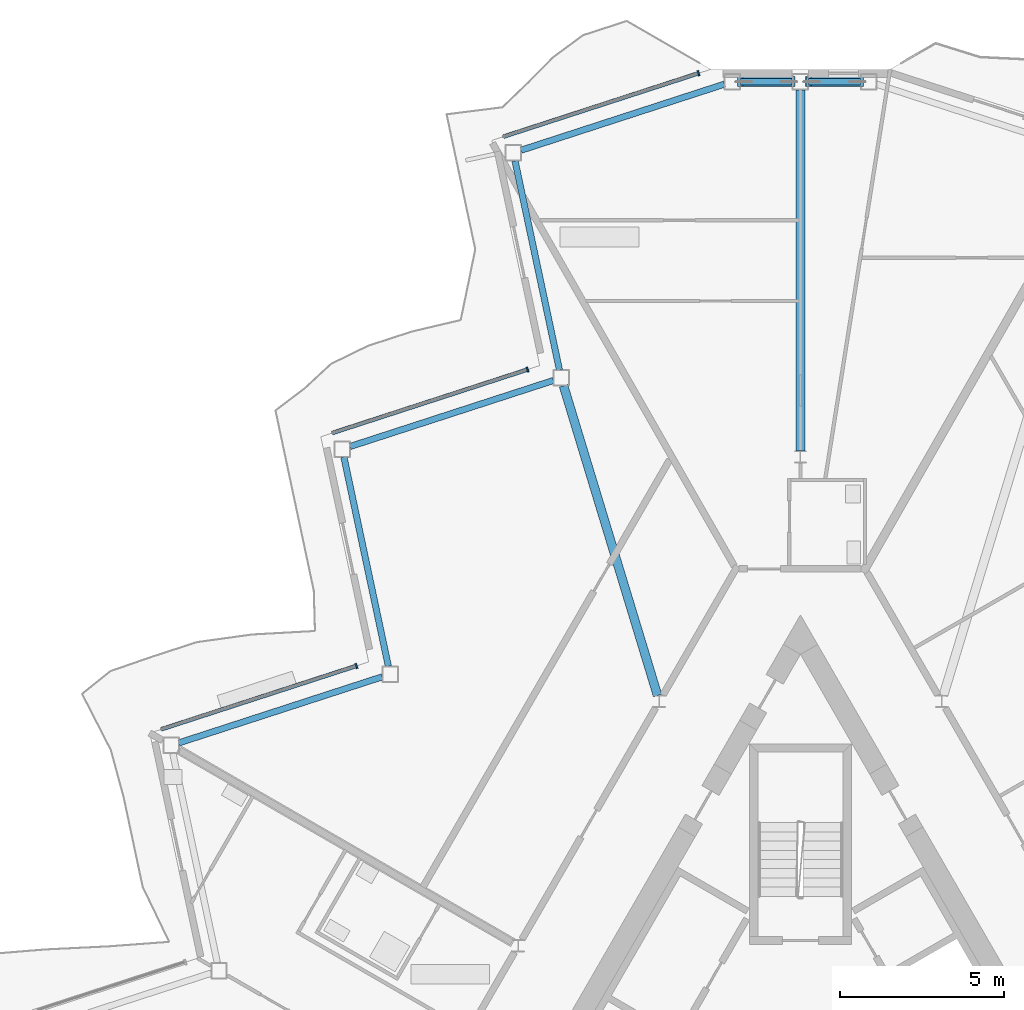
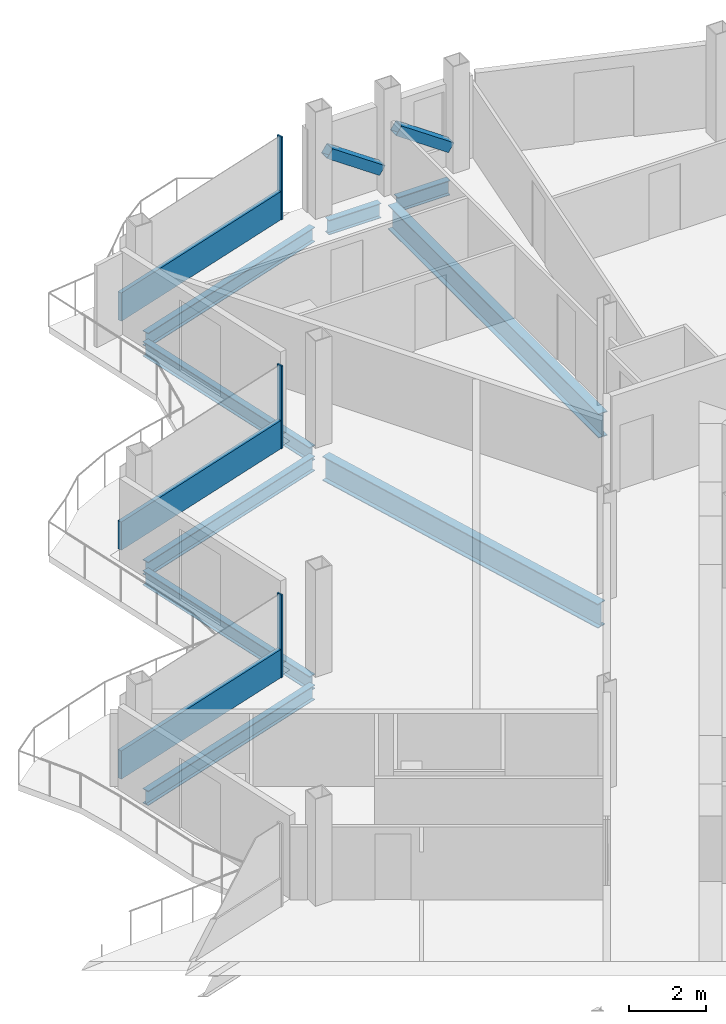
# One storey, part 9 of 26: 9 beams, 8 members, 3 elements without a shape of their own.
"""IFC4 building model written with IfcOpenShell, lengths in metres."""

from ifc_helpers import new_model, si_unit, direction, frame, origin, origin_2d, place, context, subcontext, project, spatial, rectangle, hollow_rectangle, i_section, extrude, material, layer, layer_set, material_profile, profile_set, type_object, element, aggregate, save


model = new_model("IFC4")

# Units and contexts
model_context = context("Model", 3, precision=1e-05, world=origin(), true_north=direction((0.0, 1.0)))
body_context = subcontext(model_context, "Body", "Model", "MODEL_VIEW")
ifc_project = project(units=[si_unit("LENGTHUNIT", "METRE"), si_unit("AREAUNIT", "SQUARE_METRE"), si_unit("VOLUMEUNIT", "CUBIC_METRE"), si_unit("PLANEANGLEUNIT", "RADIAN"), si_unit("MASSUNIT", "GRAM", prefix="KILO")], contexts=[model_context])

# Site, building, storey
site_placement = place(None, origin())
site = spatial("IfcSite", under=ifc_project, at=site_placement, CompositionType="ELEMENT")
building_placement = place(site_placement, origin())
building = spatial("IfcBuilding", under=site, at=building_placement, Name="Cormorant Prow Tower", CompositionType="ELEMENT")
storey_placement = place(building_placement, frame((0.0, 0.0, 367.800048828125)))
storey = spatial("IfcBuildingStorey", under=building, at=storey_placement, Name="L82", CompositionType="ELEMENT", Elevation=367.800048828125)

# Members
ifc_material_1 = material(Name="Structural steel ASTM A500 Gr C", Category="steel")
ifc_material_profile_1 = material_profile(ifc_material_1, hollow_rectangle(XDim=0.3046875, YDim=0.3046875, WallThickness=0.01171875, at=origin_2d()), Name="HSS12x12x1/2")
ifc_profile_set_1 = profile_set([ifc_material_profile_1], Name="Structural steel ASTM A500 Gr C")
member_type_1 = type_object("IfcMemberType", Name="Chamfer brace HSS12x12x1/2", PredefinedType="BRACE", material=ifc_profile_set_1)
for number, where, z_axis, x_axis, name in (
    (1, (1.8271484375, 31.219482421875, 0.7705078125), (-0.82250770082, 0.0, 0.568753973254), (0.0, -1.0, 0.0), "Chamfer brace BR3 at N00 L82"),
    (2, (-0.246826171875, 31.219482421875, 0.7705078125), (-0.82250770082, 0.0, 0.568753973254), (0.0, -1.0, 0.0), "Chamfer brace BR3 at N01 L82"),
):
    element("IfcMember", number, at=place(storey_placement, frame(where, z_axis=z_axis, x_axis=x_axis)), inside=storey, type_object=member_type_1, Name=name, PredefinedType="BRACE", context=body_context, shape_type="SweptSolid", body=[
        extrude(hollow_rectangle(XDim=0.3046875, YDim=0.3046875, WallThickness=0.01171875, at=origin_2d()), origin(), (0.0, 0.0, 1.0), 1.92138671875),
    ])

# Beams
ifc_material_2 = material(Name="Structural steel ASTM A992 Gr 50", Category="steel")
ifc_material_profile_2 = material_profile(ifc_material_2, i_section(OverallWidth=0.267822265625, OverallDepth=0.77001953125, WebThickness=0.015625, FlangeThickness=0.025390625, at=origin_2d()), Name="W30x132")
ifc_profile_set_2 = profile_set([ifc_material_profile_2], Name="Structural steel ASTM A992 Gr 50")
beam_type_1 = type_object("IfcBeamType", Name="Radial floor beam W30x132", PredefinedType="BEAM", material=ifc_profile_set_2)
beam_1_placement = place(storey_placement, frame((0.0, 19.998046875, -0.68505859375), z_axis=(0.0, 1.0, 0.0), x_axis=(-1.0, 0.0, 0.0)))
element("IfcBeam", 3, at=beam_1_placement, inside=storey, type_object=beam_type_1, Name="Radial floor beam FB3 1 L82", PredefinedType="BEAM", context=body_context, shape_type="SweptSolid", body=[
    extrude(i_section(OverallWidth=0.267822265625, OverallDepth=0.77001953125, WebThickness=0.015625, FlangeThickness=0.025390625, at=origin_2d()), origin(), (0.0, 0.0, 1.0), 10.971435546875),
])
beam_2_placement = place(storey_placement, frame((-4.343505859375, 12.560791015625, -0.68505859375), z_axis=(-0.290499864147, 0.956875033079, 0.0), x_axis=(-0.956875033079, -0.290499864147, 0.0)))
element("IfcBeam", 4, at=beam_2_placement, inside=storey, type_object=beam_type_1, Name="Radial floor beam FB3 2 L82", PredefinedType="BEAM", context=body_context, shape_type="SweptSolid", body=[
    extrude(i_section(OverallWidth=0.267822265625, OverallDepth=0.77001953125, WebThickness=0.015625, FlangeThickness=0.025390625, at=origin_2d()), origin(), (0.0, 0.0, 1.0), 9.837158203125),
])

# Curtain wall, member
ifc_material_3 = material(Name="Aluminium 6063-T6", Category="aluminium")
ifc_layer = layer(ifc_material_3, 0.159912109375)
ifc_layer_set = layer_set([ifc_layer], Name="Aluminium 6063-T6")
curtain_wall_type = type_object("IfcCurtainWallType", Name="Residential unitised curtain wall 160", PredefinedType="NOTDEFINED", material=ifc_layer_set)
curtain_wall_1_placement = place(storey_placement, origin())
curtain_wall_1 = element("IfcCurtainWall", 5, at=curtain_wall_1_placement, inside=storey, type_object=curtain_wall_type, Name="Residential curtain wall WNW00", PredefinedType="NOTDEFINED")
ifc_material_4 = material(Name="Aluminium 6063-T6", Category="aluminium")
ifc_material_profile_3 = material_profile(ifc_material_4, rectangle(XDim=0.159912109375, YDim=0.050048828125, at=origin_2d()), Name="Residential mullion 50x160")
ifc_profile_set_3 = profile_set([ifc_material_profile_3], Name="Aluminium 6063-T6")
member_type_2 = type_object("IfcMemberType", Name="Residential mullion 50x160", PredefinedType="MULLION", material=ifc_profile_set_3)
member_1_placement = place(storey_placement, frame((-3.0966796875, 31.474609375, 0.0), z_axis=(0.0, 0.0, 1.0), x_axis=(0.309016895096, -0.951056548553, 0.0)))
member_1 = element("IfcMember", 6, at=member_1_placement, type_object=member_type_2, Name="Residential mullion WNW00", PredefinedType="MULLION", context=body_context, shape_type="SweptSolid", body=[
    extrude(rectangle(XDim=0.159912109375, YDim=0.050048828125, at=origin_2d()), origin(), (0.0, 0.0, 1.0), 2.6337890625),
])

curtain_wall_2_placement = place(storey_placement, origin())
curtain_wall_2 = element("IfcCurtainWall", 7, at=curtain_wall_2_placement, inside=storey, type_object=curtain_wall_type, Name="Residential curtain wall WNW02", PredefinedType="NOTDEFINED")
member_2_placement = place(storey_placement, frame((-8.296630859375, 22.4677734375, 0.0), z_axis=(0.0, 0.0, 1.0), x_axis=(0.309017024369, -0.951056506549, 0.0)))
member_2 = element("IfcMember", 8, at=member_2_placement, type_object=member_type_2, Name="Residential mullion WNW02", PredefinedType="MULLION", context=body_context, shape_type="SweptSolid", body=[
    extrude(rectangle(XDim=0.159912109375, YDim=0.050048828125, at=origin_2d()), origin(), (0.0, 0.0, 1.0), 2.6337890625),
])

curtain_wall_3_placement = place(storey_placement, origin())
curtain_wall_3 = element("IfcCurtainWall", 9, at=curtain_wall_3_placement, inside=storey, type_object=curtain_wall_type, Name="Residential curtain wall WNW04", PredefinedType="NOTDEFINED")
member_3_placement = place(storey_placement, frame((-13.49658203125, 13.461181640625, 0.0), z_axis=(0.0, 0.0, 1.0), x_axis=(0.309016895096, -0.951056548553, 0.0)))
member_3 = element("IfcMember", 10, at=member_3_placement, type_object=member_type_2, Name="Residential mullion WNW04", PredefinedType="MULLION", context=body_context, shape_type="SweptSolid", body=[
    extrude(rectangle(XDim=0.159912109375, YDim=0.050048828125, at=origin_2d()), origin(), (0.0, 0.0, 1.0), 2.6337890625),
])

# Member
ifc_material_5 = material(Name="Terracotta", Category="masonry")
ifc_material_profile_4 = material_profile(ifc_material_5, rectangle(XDim=0.1201171875, YDim=0.89990234375, at=origin_2d()), Name="Residential terracotta spandrel rail 120x900")
ifc_profile_set_4 = profile_set([ifc_material_profile_4], Name="Terracotta")
member_type_3 = type_object("IfcMemberType", Name="Residential terracotta spandrel rail 120x900", PredefinedType="USERDEFINED", material=ifc_profile_set_4)
member_4_placement = place(storey_placement, frame((-3.120361328125, 31.466796875, 0.449951171875), z_axis=(-0.951056004715, -0.309018568854, 0.0), x_axis=(0.309018568854, -0.951056004715, 0.0)))
member_4 = element("IfcMember", 11, at=member_4_placement, type_object=member_type_3, Name="Residential spandrel rail WNW00", ObjectType="TRANSOM", PredefinedType="USERDEFINED", context=body_context, shape_type="SweptSolid", body=[
    extrude(rectangle(XDim=0.1201171875, YDim=0.89990234375, at=origin_2d()), origin(), (0.0, 0.0, 1.0), 6.21533203125),
])

aggregate(curtain_wall_1, [member_1, member_4])

member_5_placement = place(storey_placement, frame((-8.3203125, 22.460205078125, 0.449951171875), z_axis=(-0.951056004715, -0.309018568854, 0.0), x_axis=(0.309018568854, -0.951056004715, 0.0)))
member_5 = element("IfcMember", 12, at=member_5_placement, type_object=member_type_3, Name="Residential spandrel rail WNW02", ObjectType="TRANSOM", PredefinedType="USERDEFINED", context=body_context, shape_type="SweptSolid", body=[
    extrude(rectangle(XDim=0.1201171875, YDim=0.89990234375, at=origin_2d()), origin(), (0.0, 0.0, 1.0), 6.21533203125),
])

aggregate(curtain_wall_2, [member_2, member_5])

member_6_placement = place(storey_placement, frame((-13.520263671875, 13.453369140625, 0.449951171875), z_axis=(-0.951056004715, -0.309018568854, 0.0), x_axis=(0.309018568854, -0.951056004715, 0.0)))
member_6 = element("IfcMember", 13, at=member_6_placement, type_object=member_type_3, Name="Residential spandrel rail WNW04", ObjectType="TRANSOM", PredefinedType="USERDEFINED", context=body_context, shape_type="SweptSolid", body=[
    extrude(rectangle(XDim=0.1201171875, YDim=0.89990234375, at=origin_2d()), origin(), (0.0, 0.0, 1.0), 6.21533203125),
])

aggregate(curtain_wall_3, [member_3, member_6])

# Beams
ifc_material_6 = material(Name="Structural steel ASTM A992 Gr 50", Category="steel")
ifc_material_profile_5 = material_profile(ifc_material_6, i_section(OverallWidth=0.19287109375, OverallDepth=0.466064453125, WebThickness=0.011474609375, FlangeThickness=0.01904296875, at=origin_2d()), Name="W18x65")
ifc_profile_set_5 = profile_set([ifc_material_profile_5], Name="Structural steel ASTM A992 Gr 50")
beam_type_2 = type_object("IfcBeamType", Name="Spandrel beam W18x65", PredefinedType="SPANDREL", material=ifc_profile_set_5)
for number, where, z_axis, x_axis, name in (
    (14, (1.82373046875, 31.219482421875, -0.533203125), (-1.0, 0.0, 0.0), (0.0, -1.0, 0.0), "Spandrel beam SB4 N00-N01 L82"),
    (15, (-0.25, 31.219482421875, -0.533203125), (-1.0, 0.0, 0.0), (0.0, -1.0, 0.0), "Spandrel beam SB4 N01-WNW00 L82"),
):
    element("IfcBeam", number, at=place(storey_placement, frame(where, z_axis=z_axis, x_axis=x_axis)), inside=storey, type_object=beam_type_2, Name=name, PredefinedType="SPANDREL", context=body_context, shape_type="SweptSolid", body=[
        extrude(i_section(OverallWidth=0.19287109375, OverallDepth=0.466064453125, WebThickness=0.011474609375, FlangeThickness=0.01904296875, at=origin_2d()), origin(), (0.0, 0.0, 1.0), 1.57373046875),
    ])
for number, where, z_axis, x_axis, name in (
    (16, (-2.3115234375, 31.142333984375, -0.533203125), (-0.951056984862, -0.30901555227, 0.0), (0.30901555227, -0.951056984862, 0.0), "Spandrel beam SB4 WNW00-WNW01 L82"),
    (17, (-8.6767578125, 28.812744140625, -0.533203125), (0.20793784774, -0.978142040543, 0.0), (0.978142040543, 0.20793784774, 0.0), "Spandrel beam SB4 WNW01-WNW02 L82"),
):
    element("IfcBeam", number, at=place(storey_placement, frame(where, z_axis=z_axis, x_axis=x_axis)), inside=storey, type_object=beam_type_2, Name=name, PredefinedType="SPANDREL", context=body_context, shape_type="SweptSolid", body=[
        extrude(i_section(OverallWidth=0.19287109375, OverallDepth=0.466064453125, WebThickness=0.011474609375, FlangeThickness=0.01904296875, at=origin_2d()), origin(), (0.0, 0.0, 1.0), 6.49755859375),
    ])
beam_3_placement = place(storey_placement, frame((-7.511474609375, 22.135498046875, -0.533203125), z_axis=(-0.951068027308, -0.308981564875, 0.0), x_axis=(0.308981564875, -0.951068027308, 0.0)))
element("IfcBeam", 18, at=beam_3_placement, inside=storey, type_object=beam_type_2, Name="Spandrel beam SB4 WNW02-WNW03 L82", PredefinedType="SPANDREL", context=body_context, shape_type="SweptSolid", body=[
    extrude(i_section(OverallWidth=0.19287109375, OverallDepth=0.466064453125, WebThickness=0.011474609375, FlangeThickness=0.01904296875, at=origin_2d()), origin(), (0.0, 0.0, 1.0), 6.497314453125),
])
beam_4_placement = place(storey_placement, frame((-13.876708984375, 19.80615234375, -0.533203125), z_axis=(0.207901897373, -0.978149682344, 0.0), x_axis=(0.978149682344, 0.207901897373, 0.0)))
element("IfcBeam", 19, at=beam_4_placement, inside=storey, type_object=beam_type_2, Name="Spandrel beam SB4 WNW03-WNW04 L82", PredefinedType="SPANDREL", context=body_context, shape_type="SweptSolid", body=[
    extrude(i_section(OverallWidth=0.19287109375, OverallDepth=0.466064453125, WebThickness=0.011474609375, FlangeThickness=0.01904296875, at=origin_2d()), origin(), (0.0, 0.0, 1.0), 6.49755859375),
])
beam_5_placement = place(storey_placement, frame((-12.711669921875, 13.12890625, -0.533203125), z_axis=(-0.951053396625, -0.309026595569, 0.0), x_axis=(0.309026595569, -0.951053396625, 0.0)))
element("IfcBeam", 20, at=beam_5_placement, inside=storey, type_object=beam_type_2, Name="Spandrel beam SB4 WNW04-WNW05 L82", PredefinedType="SPANDREL", context=body_context, shape_type="SweptSolid", body=[
    extrude(i_section(OverallWidth=0.19287109375, OverallDepth=0.466064453125, WebThickness=0.011474609375, FlangeThickness=0.01904296875, at=origin_2d()), origin(), (0.0, 0.0, 1.0), 6.497314453125),
])

save(model, "model.ifc")
